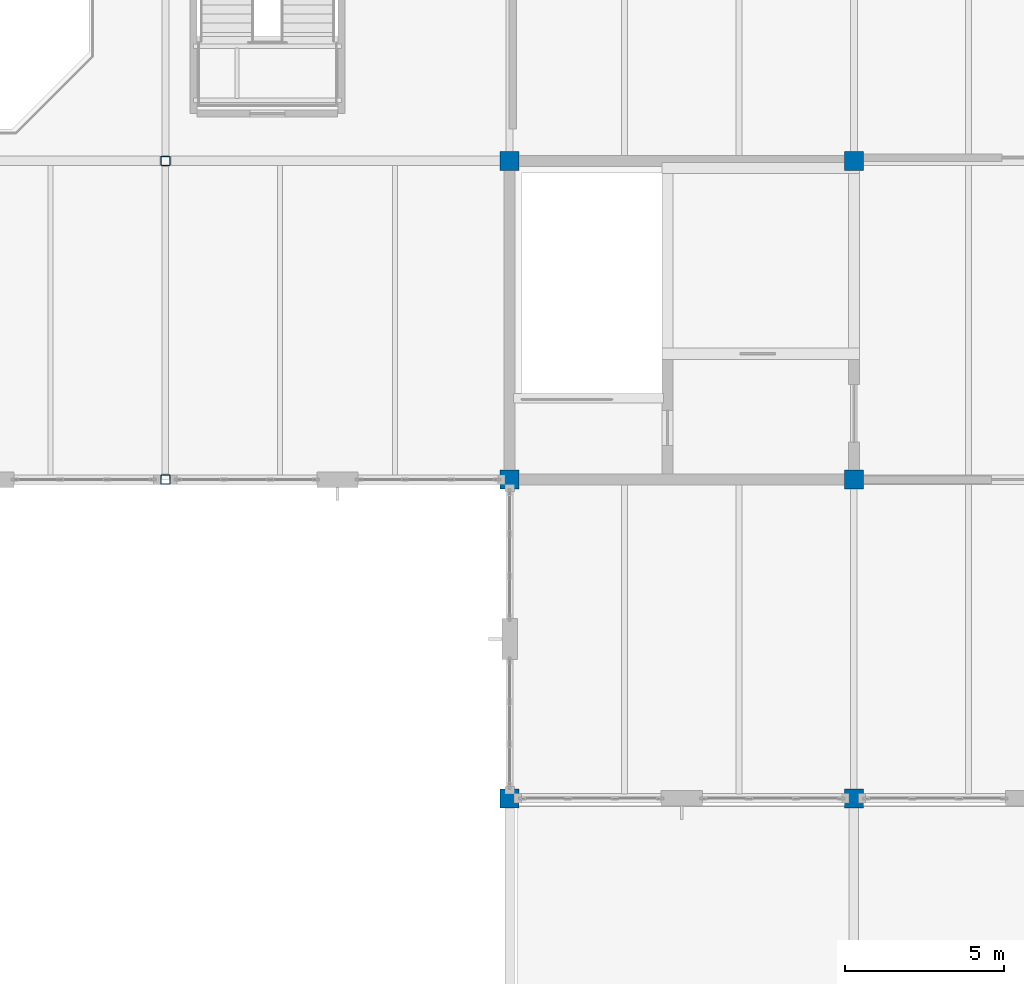
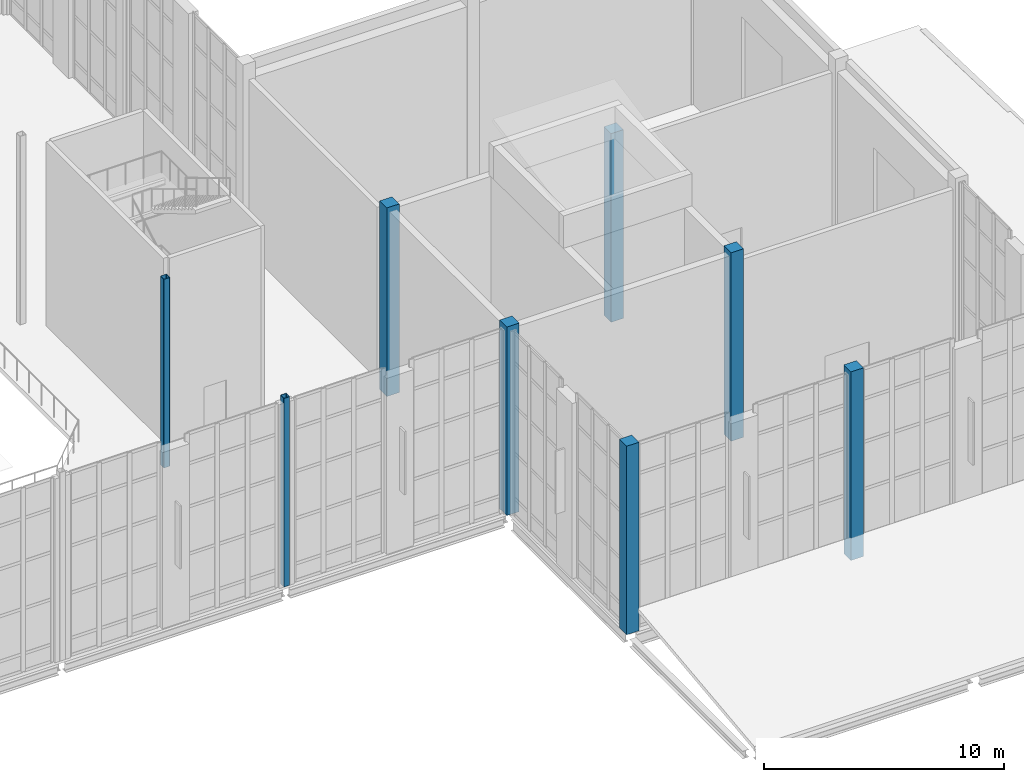
# One storey, part 5 of 100: 8 columns.
"""IFC4 building model written with IfcOpenShell, lengths in metres."""

from ifc_helpers import new_model, si_unit, direction, frame, origin, origin_2d, place, context, subcontext, project, spatial, rectangle, hollow_rectangle, extrude, material, material_profile, profile_set, type_object, element, save


model = new_model("IFC4")

# Units and contexts
model_context = context("Model", 3, precision=1e-05, world=origin(), true_north=direction((0.0, 1.0)))
body_context = subcontext(model_context, "Body", "Model", "MODEL_VIEW")
ifc_project = project(units=[si_unit("LENGTHUNIT", "METRE"), si_unit("AREAUNIT", "SQUARE_METRE"), si_unit("VOLUMEUNIT", "CUBIC_METRE"), si_unit("PLANEANGLEUNIT", "RADIAN"), si_unit("MASSUNIT", "GRAM", prefix="KILO")], contexts=[model_context])

# Site, building, storey
site_placement = place(None, origin())
site = spatial("IfcSite", under=ifc_project, at=site_placement, CompositionType="ELEMENT")
building_placement = place(site_placement, origin())
building = spatial("IfcBuilding", under=site, at=building_placement, Name="Tasgan Crest Museum", CompositionType="ELEMENT")
storey_placement = place(building_placement, frame((0.0, 0.0, 14.39990234375)))
storey = spatial("IfcBuildingStorey", under=building, at=storey_placement, Name="L03", CompositionType="ELEMENT", Elevation=14.39990234375)

# Columns
ifc_material_1 = material(Name="Concrete C40/50", Category="concrete")
ifc_material_profile_1 = material_profile(ifc_material_1, rectangle(XDim=0.60009765625, YDim=0.60009765625, at=origin_2d()), Name="RC 600x600")
ifc_profile_set_1 = profile_set([ifc_material_profile_1], Name="Concrete C40/50")
column_type_1 = type_object("IfcColumnType", Name="COL-RC600", PredefinedType="COLUMN", material=ifc_profile_set_1)
for number, where, z_axis, x_axis, name in (
    (1, (108.0, 30.0, 0.0), (0.0, 0.0, 1.0), (1.0, 0.0, 0.0), "Column 11/D L03"),
    (2, (108.0, 40.0, 0.0), (0.0, 0.0, 1.0), (1.0, 0.0, 0.0), "Column 11/E L03"),
    (3, (108.0, 50.0, 0.0), (0.0, 0.0, 1.0), (1.0, 0.0, 0.0), "Column 11/F L03"),
    (4, (118.800048828125, 30.0, 0.0), (0.0, 0.0, 1.0), (1.0, 0.0, 0.0), "Column 12/D L03"),
    (5, (118.800048828125, 40.0, 0.0), (0.0, 0.0, 1.0), (1.0, 0.0, 0.0), "Column 12/E L03"),
    (6, (118.800048828125, 50.0, 0.0), (0.0, 0.0, 1.0), (1.0, 0.0, 0.0), "Column 12/F L03"),
):
    element("IfcColumn", number, at=place(storey_placement, frame(where, z_axis=z_axis, x_axis=x_axis)), inside=storey, type_object=column_type_1, Name=name, PredefinedType="COLUMN", context=body_context, shape_type="SweptSolid", body=[
        extrude(rectangle(XDim=0.60009765625, YDim=0.60009765625, at=origin_2d()), origin(), (0.0, 0.0, 1.0), 9.60009765625),
    ])
ifc_material_2 = material(Name="Steel S355K2", Category="steel")
ifc_material_profile_2 = material_profile(ifc_material_2, hollow_rectangle(XDim=0.300048828125, YDim=0.300048828125, WallThickness=0.01611328125, InnerFilletRadius=0.01611328125, OuterFilletRadius=0.031982421875, at=origin_2d()), Name="SHS 300x300x16")
ifc_profile_set_2 = profile_set([ifc_material_profile_2], Name="Steel S355K2")
column_type_2 = type_object("IfcColumnType", Name="COL-SHS300", PredefinedType="COLUMN", material=ifc_profile_set_2)
for number, where, z_axis, x_axis, name in (
    (7, (97.199951171875, 40.0, 0.0), (0.0, 0.0, 1.0), (1.0, 0.0, 0.0), "Column 10/E L03"),
    (8, (97.199951171875, 50.0, 0.0), (0.0, 0.0, 1.0), (1.0, 0.0, 0.0), "Column 10/F L03"),
):
    element("IfcColumn", number, at=place(storey_placement, frame(where, z_axis=z_axis, x_axis=x_axis)), inside=storey, type_object=column_type_2, Name=name, PredefinedType="COLUMN", context=body_context, shape_type="SweptSolid", body=[
        extrude(hollow_rectangle(XDim=0.300048828125, YDim=0.300048828125, WallThickness=0.01611328125, InnerFilletRadius=0.01611328125, OuterFilletRadius=0.031982421875, at=origin_2d()), origin(), (0.0, 0.0, 1.0), 9.60009765625),
    ])

save(model, "model.ifc")
